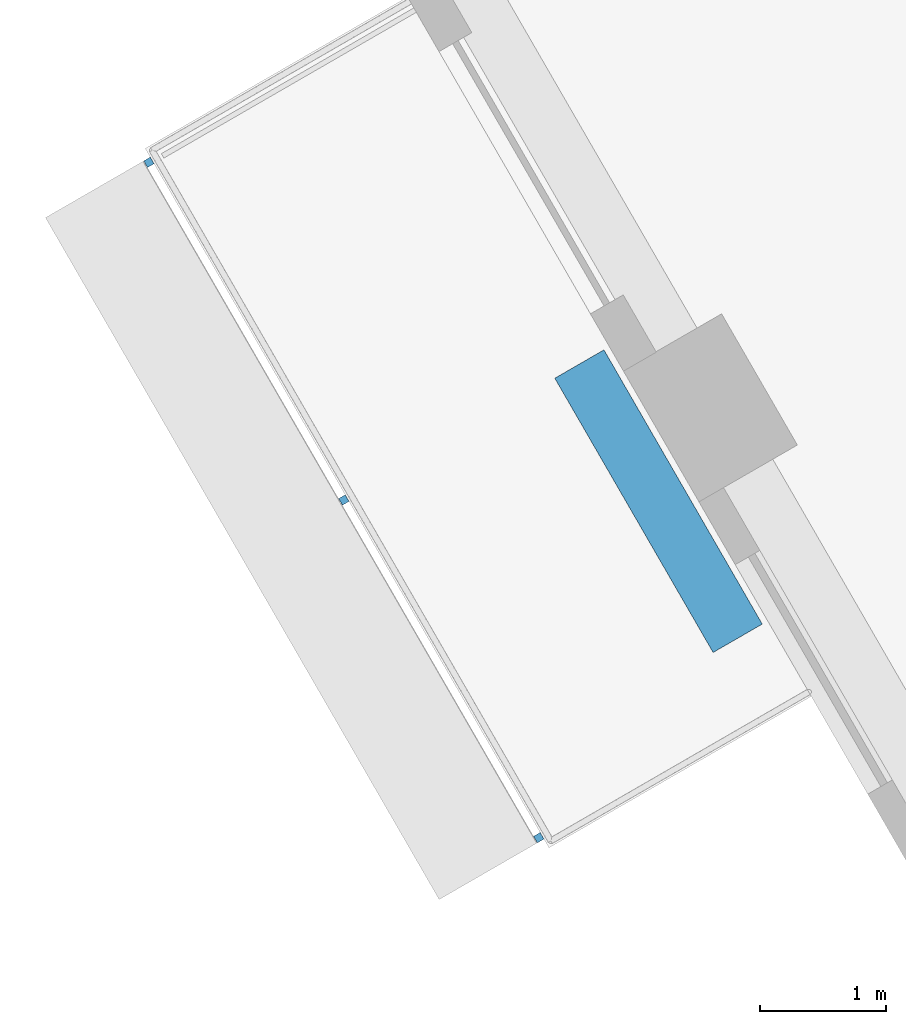
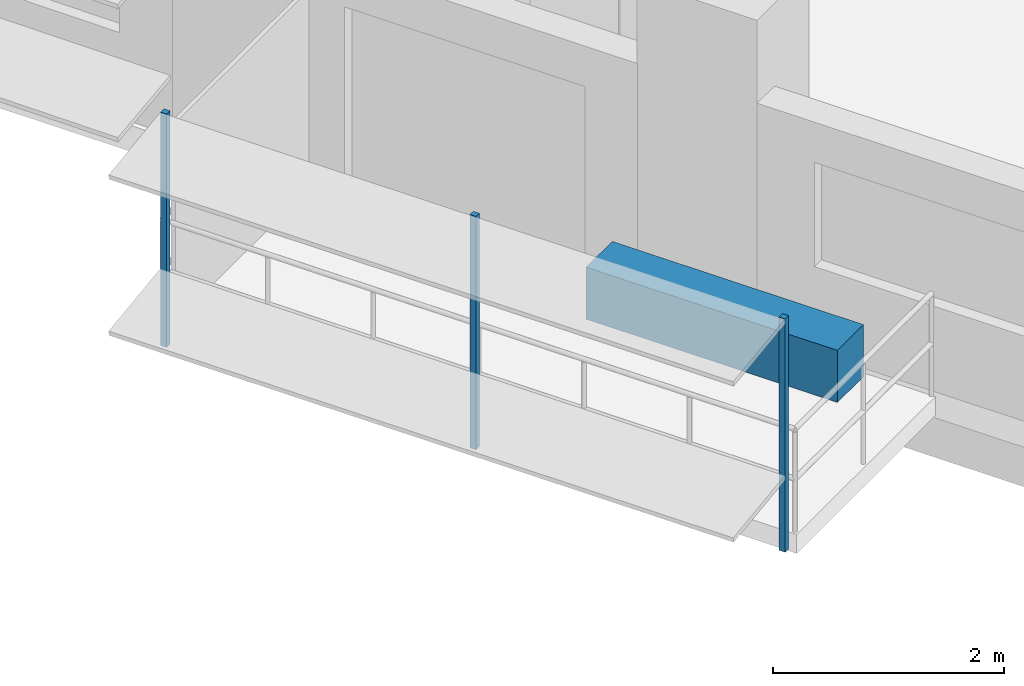
# One storey, part 11 of 16: 4 discrete accessories.
"""IFC4 building model written with IfcOpenShell, lengths in metres."""

from ifc_helpers import new_model, si_unit, direction, frame, origin, origin_2d, place, context, subcontext, project, spatial, rectangle, extrude, material, type_object, element, save


model = new_model("IFC4")

# Units and contexts
model_context = context("Model", 3, precision=1e-05, world=origin(), true_north=direction((0.0, 1.0)))
body_context = subcontext(model_context, "Body", "Model", "MODEL_VIEW")
ifc_project = project(units=[si_unit("LENGTHUNIT", "METRE"), si_unit("AREAUNIT", "SQUARE_METRE"), si_unit("VOLUMEUNIT", "CUBIC_METRE"), si_unit("PLANEANGLEUNIT", "RADIAN"), si_unit("MASSUNIT", "GRAM", prefix="KILO")], contexts=[model_context])

# Site, building, storey
site_placement = place(None, origin())
site = spatial("IfcSite", under=ifc_project, at=site_placement, CompositionType="ELEMENT")
building_placement = place(site_placement, origin())
building = spatial("IfcBuilding", under=site, at=building_placement, Name="Nakaniwa Court", CompositionType="ELEMENT")
storey_placement = place(building_placement, frame((0.0, 0.0, 199.800048828125)))
storey = spatial("IfcBuildingStorey", under=building, at=storey_placement, Name="L52", CompositionType="ELEMENT", Elevation=199.800048828125)

# Discrete accessories
ifc_material_1 = material(Name="Black powder-coated steel bracket S275", Category="steel")
discrete_accessory_type_1 = type_object("IfcDiscreteAccessoryType", Name="Black metal louvre bracket", PredefinedType="BRACKET", material=ifc_material_1)
for number, where, z_axis, x_axis, name in (
    (1, (56.412109375, 70.69580078125, -0.22998046875), (0.0, 0.0, 1.0), (0.499986396443, -0.866033257659, 0.0), "L52 louvre bracket 01 1"),
    (2, (57.956787109375, 68.02001953125, -0.22998046875), (0.0, 0.0, 1.0), (0.499986396443, -0.866033257659, 0.0), "L52 louvre bracket 01 2"),
    (3, (59.50146484375, 65.34423828125, -0.22998046875), (0.0, 0.0, 1.0), (0.499986396443, -0.866033257659, 0.0), "L52 louvre bracket 01 3"),
):
    element("IfcDiscreteAccessory", number, at=place(storey_placement, frame(where, z_axis=z_axis, x_axis=x_axis)), inside=storey, type_object=discrete_accessory_type_1, Name=name, PredefinedType="BRACKET", context=body_context, shape_type="SweptSolid", body=[
        extrude(rectangle(XDim=0.06005859375, YDim=0.06005859375, at=origin_2d()), origin(), (0.0, 0.0, 1.0), 2.46337890625),
    ])
ifc_material_2 = material(Name="Precast concrete C40/50 planter with planted soil", Category="concrete")
discrete_accessory_type_2 = type_object("IfcDiscreteAccessoryType", Name="Planter box charcoal concrete", PredefinedType="USERDEFINED", material=ifc_material_2)
discrete_accessory_placement = place(storey_placement, frame((60.450439453125, 68.0107421875, -0.05029296875), z_axis=(0.0, 0.0, 1.0), x_axis=(0.499986396443, -0.866033257659, 0.0)))
element("IfcDiscreteAccessory", 4, at=discrete_accessory_placement, inside=storey, type_object=discrete_accessory_type_2, Name="L52 balcony PLANTER 01", ObjectType="PLANTER", PredefinedType="USERDEFINED", context=body_context, shape_type="SweptSolid", body=[
    extrude(rectangle(XDim=2.509521484375, YDim=0.449951171875, at=origin_2d()), origin(), (0.0, 0.0, 1.0), 0.550048828125),
])

save(model, "model.ifc")
